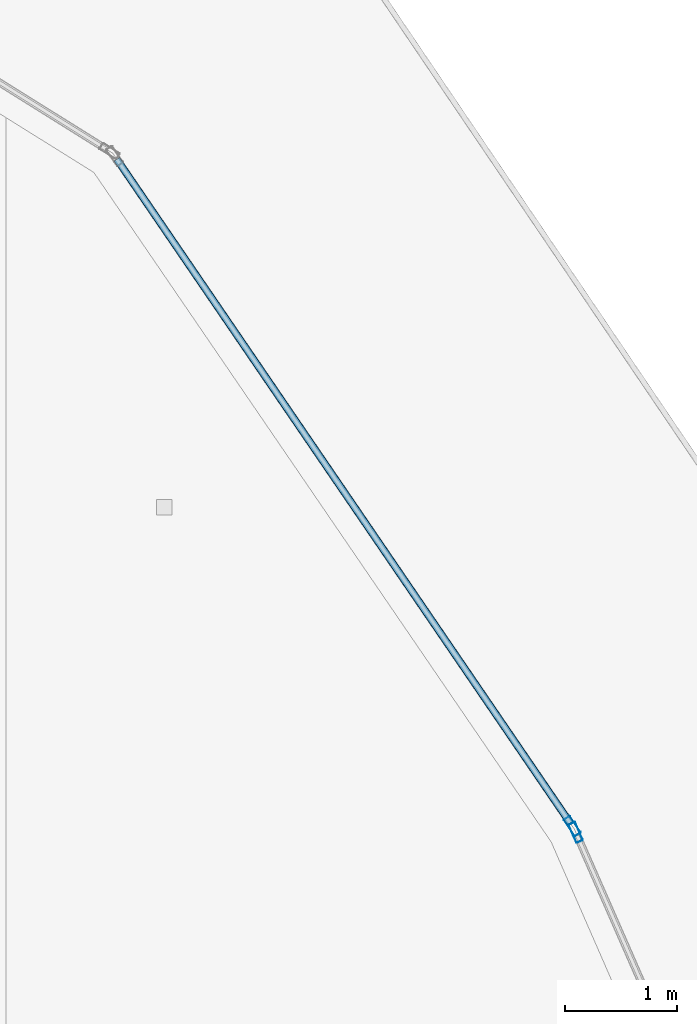
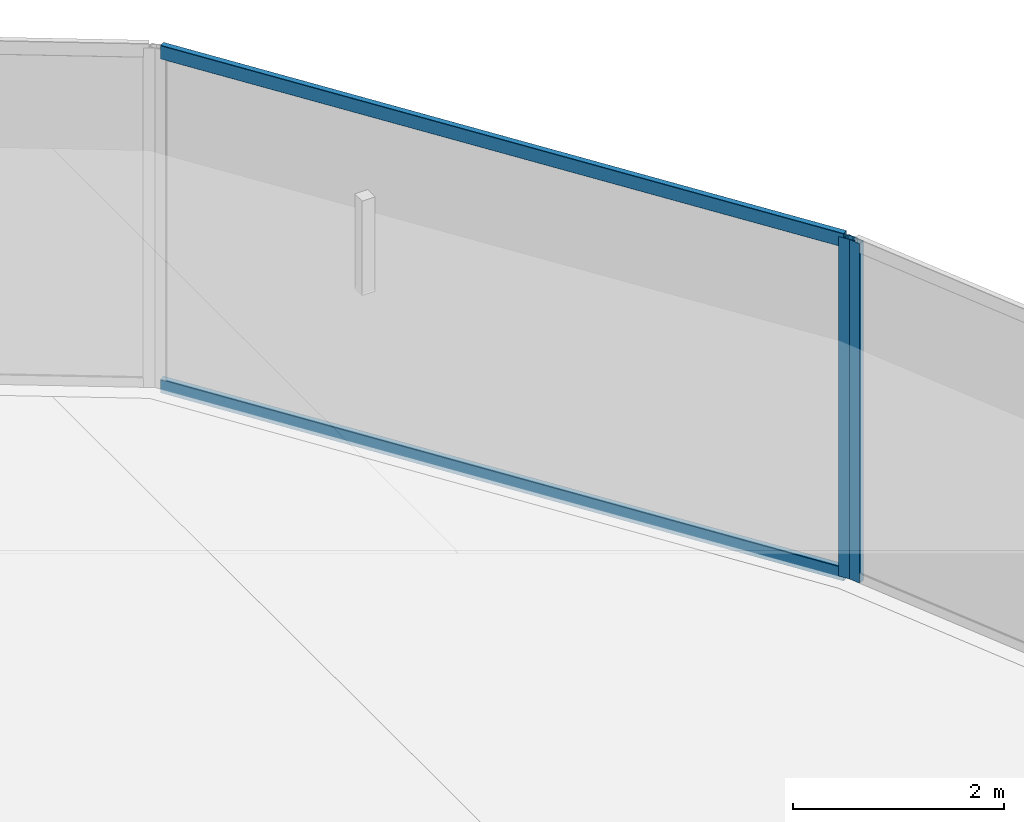
# One storey, part 21 of 44: 4 members, 2 elements without a shape of their own.
"""IFC4 building model written with IfcOpenShell, lengths in metres."""

from ifc_helpers import new_model, si_unit, direction, frame, origin, origin_2d, place, context, subcontext, project, spatial, hollow_rectangle, extrude, material, layer, layer_set, material_profile, profile_set, type_object, element, aggregate, save


model = new_model("IFC4")

# Units and contexts
model_context = context("Model", 3, precision=1e-05, world=origin(), true_north=direction((0.0, 1.0)))
body_context = subcontext(model_context, "Body", "Model", "MODEL_VIEW")
ifc_project = project(units=[si_unit("LENGTHUNIT", "METRE"), si_unit("AREAUNIT", "SQUARE_METRE"), si_unit("VOLUMEUNIT", "CUBIC_METRE"), si_unit("PLANEANGLEUNIT", "RADIAN"), si_unit("MASSUNIT", "GRAM", prefix="KILO")], contexts=[model_context])

# Site, building, storey
site_placement = place(None, origin())
site = spatial("IfcSite", under=ifc_project, at=site_placement, CompositionType="ELEMENT")
building_placement = place(site_placement, origin())
building = spatial("IfcBuilding", under=site, at=building_placement, Name="Qorvath Tower", CompositionType="ELEMENT")
storey_placement = place(building_placement, frame((0.0, 0.0, 70.199951171875)))
storey = spatial("IfcBuildingStorey", under=building, at=storey_placement, Name="L15", CompositionType="ELEMENT", Elevation=70.199951171875)

# Curtain wall, member
ifc_material_1 = material(Name="Anodised aluminium and triple low-E glass", Category="aluminium")
ifc_layer = layer(ifc_material_1, 0.179931640625)
ifc_layer_set = layer_set([ifc_layer], Name="CW-SYS-2")
curtain_wall_type = type_object("IfcCurtainWallType", Name="CW-SYS-2", PredefinedType="NOTDEFINED", material=ifc_layer_set)
curtain_wall_1_placement = place(storey_placement, origin())
curtain_wall_1 = element("IfcCurtainWall", 1, at=curtain_wall_1_placement, inside=storey, type_object=curtain_wall_type, Name="Curtain Wall CW-2 CW-T-L15-12.1", PredefinedType="NOTDEFINED")
ifc_material_2 = material(Name="Anodised aluminium 6063-T6", Category="aluminium")
ifc_material_profile_1 = material_profile(ifc_material_2, hollow_rectangle(XDim=0.06494140625, YDim=0.179931640625, WallThickness=0.00341796875, InnerFilletRadius=0.00341796875, OuterFilletRadius=0.007080078125, at=origin_2d()), Name="CWM 180x65")
ifc_profile_set_1 = profile_set([ifc_material_profile_1], Name="Anodised aluminium 6063-T6")
member_type_1 = type_object("IfcMemberType", Name="CWM-180", PredefinedType="MULLION", material=ifc_profile_set_1)
member_1_placement = place(storey_placement, frame((1.8857421875, 18.993896484375, 0.0), z_axis=(0.0, 0.0, 1.0), x_axis=(-0.915925737134, -0.401347784416, 0.0)))
member_1 = element("IfcMember", 2, at=member_1_placement, type_object=member_type_1, Name="CW-2 mullion 2", PredefinedType="MULLION", context=body_context, shape_type="SweptSolid", body=[
    extrude(hollow_rectangle(XDim=0.06494140625, YDim=0.179931640625, WallThickness=0.00341796875, InnerFilletRadius=0.00341796875, OuterFilletRadius=0.007080078125, at=origin_2d()), origin(), (0.0, 0.0, 1.0), 3.920166015625),
])
aggregate(curtain_wall_1, [member_1])

# Curtain wall, members
curtain_wall_2_placement = place(storey_placement, origin())
curtain_wall_2 = element("IfcCurtainWall", 3, at=curtain_wall_2_placement, inside=storey, type_object=curtain_wall_type, Name="Curtain Wall CW-2 CW-T-L15-13.1", PredefinedType="NOTDEFINED")
member_2_placement = place(storey_placement, frame((1.8544921875, 19.050537109375, 0.0), z_axis=(0.0, 0.0, 1.0), x_axis=(-0.825792265854, -0.563974408689, 0.0)))
member_2 = element("IfcMember", 4, at=member_2_placement, type_object=member_type_1, Name="CW-2 mullion 1", PredefinedType="MULLION", context=body_context, shape_type="SweptSolid", body=[
    extrude(hollow_rectangle(XDim=0.06494140625, YDim=0.179931640625, WallThickness=0.00341796875, InnerFilletRadius=0.00341796875, OuterFilletRadius=0.007080078125, at=origin_2d()), origin(), (0.0, 0.0, 1.0), 3.920166015625),
])
ifc_material_3 = material(Name="Anodised aluminium 6063-T6", Category="aluminium")
ifc_material_profile_2 = material_profile(ifc_material_3, hollow_rectangle(XDim=0.06494140625, YDim=0.159912109375, WallThickness=0.00341796875, InnerFilletRadius=0.00341796875, OuterFilletRadius=0.007080078125, at=origin_2d()), Name="CWT 160x65")
ifc_profile_set_2 = profile_set([ifc_material_profile_2], Name="Anodised aluminium 6063-T6")
member_type_2 = type_object("IfcMemberType", Name="CWT-160", PredefinedType="USERDEFINED", material=ifc_profile_set_2)
member_3_placement = place(storey_placement, frame((1.836181640625, 19.077392578125, 0.032470703125), z_axis=(-0.563979207368, 0.825788988578, 0.0), x_axis=(-0.825788988578, -0.563979207368, 0.0)))
member_3 = element("IfcMember", 5, at=member_3_placement, type_object=member_type_2, Name="CW-2 transom 1.1", ObjectType="TRANSOM", PredefinedType="USERDEFINED", context=body_context, shape_type="SweptSolid", body=[
    extrude(hollow_rectangle(XDim=0.06494140625, YDim=0.159912109375, WallThickness=0.00341796875, InnerFilletRadius=0.00341796875, OuterFilletRadius=0.007080078125, at=origin_2d()), origin(), (0.0, 0.0, 1.0), 7.168212890625),
])
member_4_placement = place(storey_placement, frame((1.836181640625, 19.077392578125, 3.8876953125), z_axis=(-0.563979207368, 0.825788988578, 0.0), x_axis=(-0.825788988578, -0.563979207368, 0.0)))
member_4 = element("IfcMember", 6, at=member_4_placement, type_object=member_type_2, Name="CW-2 transom 1.2", ObjectType="TRANSOM", PredefinedType="USERDEFINED", context=body_context, shape_type="SweptSolid", body=[
    extrude(hollow_rectangle(XDim=0.06494140625, YDim=0.159912109375, WallThickness=0.00341796875, InnerFilletRadius=0.00341796875, OuterFilletRadius=0.007080078125, at=origin_2d()), origin(), (0.0, 0.0, 1.0), 7.168212890625),
])
aggregate(curtain_wall_2, [member_2, member_3, member_4])

save(model, "model.ifc")
